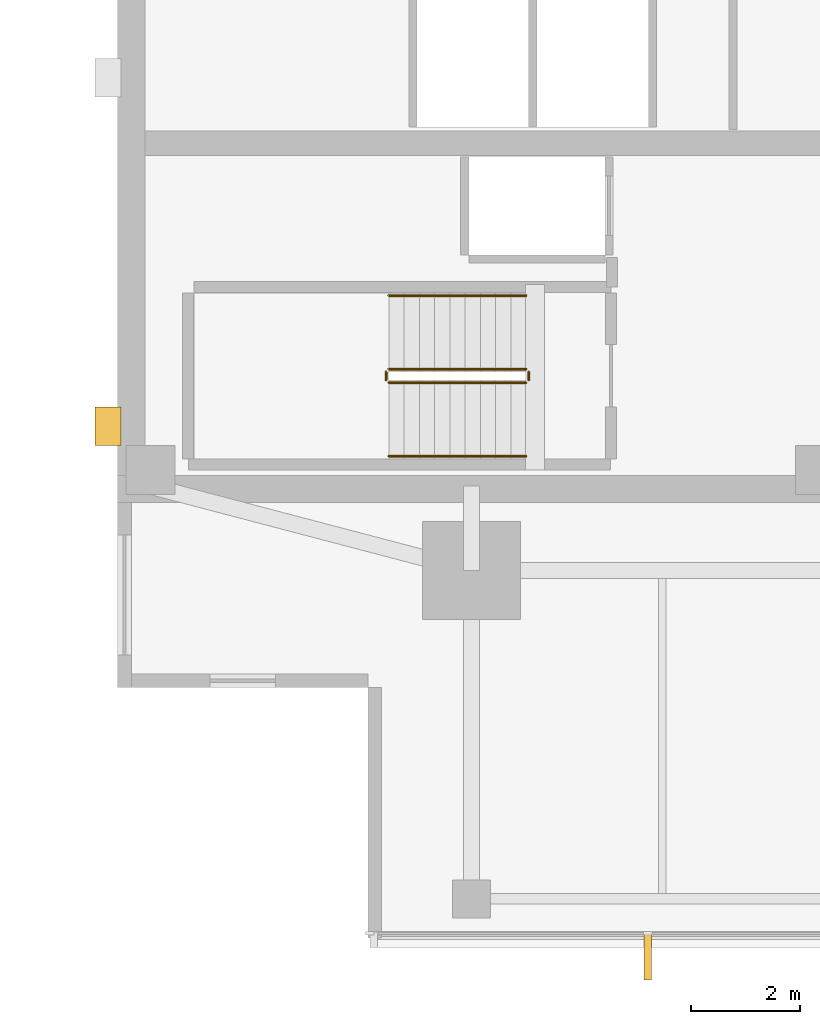
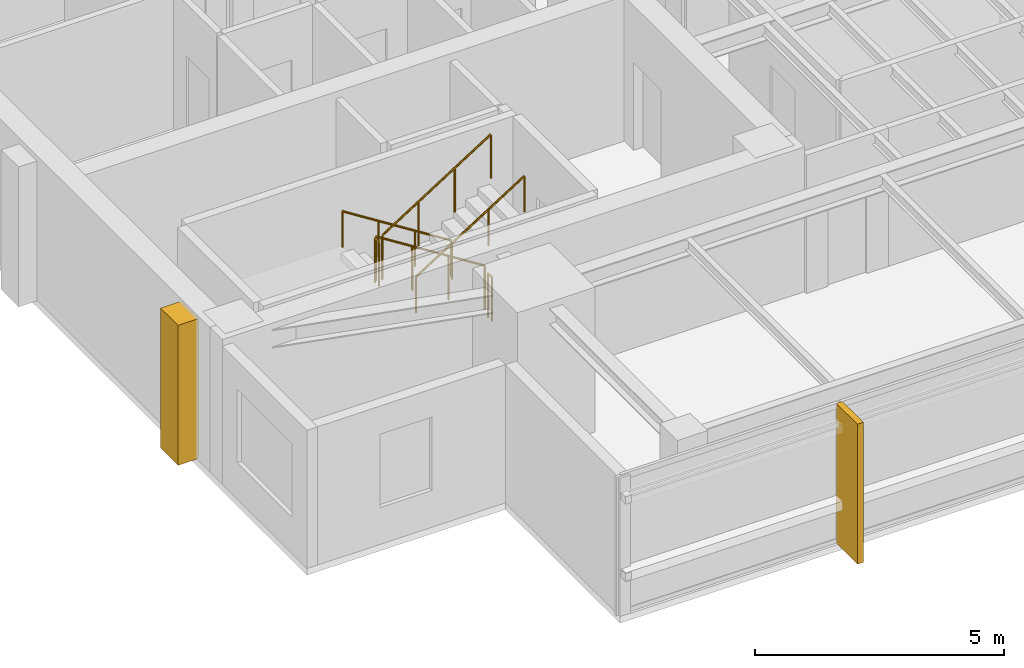
# One storey, part 11 of 14: 6 railings, 2 coverings.
"""IFC4 building model written with IfcOpenShell, lengths in metres."""

from ifc_helpers import new_model, si_unit, direction, frame, origin, origin_2d, place, context, subcontext, project, spatial, polyline, circle, outline, extrude, material, layer, layer_set, type_object, element, save


model = new_model("IFC4")

# Units and contexts
model_context = context("Model", 3, precision=1e-05, world=origin(), true_north=direction((0.0, 1.0)))
body_context = subcontext(model_context, "Body", "Model", "MODEL_VIEW")
ifc_project = project(units=[si_unit("LENGTHUNIT", "METRE"), si_unit("AREAUNIT", "SQUARE_METRE"), si_unit("VOLUMEUNIT", "CUBIC_METRE"), si_unit("PLANEANGLEUNIT", "RADIAN"), si_unit("MASSUNIT", "GRAM", prefix="KILO")], contexts=[model_context])

# Site, building, storey
site_placement = place(None, origin())
site = spatial("IfcSite", under=ifc_project, at=site_placement, CompositionType="ELEMENT")
building_placement = place(site_placement, origin())
building = spatial("IfcBuilding", under=site, at=building_placement, Name="Kinhvarn Gate Tower", CompositionType="ELEMENT")
storey_placement = place(building_placement, frame((0.0, 0.0, 270.550048828125)))
storey = spatial("IfcBuildingStorey", under=building, at=storey_placement, Name="L72", CompositionType="ELEMENT", Elevation=270.550048828125)

# Coverings
ifc_material_1 = material(Name="Fired architectural terracotta", Category="masonry")
ifc_layer_1 = layer(ifc_material_1, 0.139892578125)
ifc_layer_set_1 = layer_set([ifc_layer_1], Name="Fired architectural terracotta")
covering_type_1 = type_object("IfcCoveringType", Name="COV-FIN-850", PredefinedType="CLADDING", material=ifc_layer_set_1)
covering_1_placement = place(storey_placement, frame((0.0, 0.0, -0.02001953125)))
element("IfcCovering", 1, at=covering_1_placement, inside=storey, type_object=covering_type_1, Name="Vertical Terracotta Expressive Fin TFN-850 (L72)", PredefinedType="CLADDING", context=body_context, shape_type="SweptSolid", body=[
    extrude(outline(polyline([(14.163330078125, 6.080078125), (14.30322265625, 6.080078125), (14.30322265625, 5.22998046875), (14.163330078125, 5.22998046875), (14.163330078125, 6.080078125)])), origin(), (0.0, 0.0, 1.0), 3.429931640625),
])
ifc_material_2 = material(Name="Precast white architectural concrete C40/50", Category="concrete")
ifc_layer_2 = layer(ifc_material_2, 0.47998046875)
ifc_layer_set_2 = layer_set([ifc_layer_2], Name="Precast white architectural concrete C40/50")
covering_type_2 = type_object("IfcCoveringType", Name="COV-RIB-450", PredefinedType="CLADDING", material=ifc_layer_set_2)
covering_2_placement = place(storey_placement, frame((0.0, 0.0, -0.02001953125)))
element("IfcCovering", 2, at=covering_2_placement, inside=storey, type_object=covering_type_2, Name="West Core Sculptural Concrete Relief Rib CRB-450 (L72)", PredefinedType="CLADDING", context=body_context, shape_type="SweptSolid", body=[
    extrude(outline(polyline([(4.080078125, 15.050048828125), (4.56005859375, 15.050048828125), (4.56005859375, 15.75), (4.080078125, 15.75), (4.080078125, 15.050048828125)])), origin(), (0.0, 0.0, 1.0), 3.429931640625),
])

# Railings
ifc_material_3 = material(Name="Steel S355", Category="steel")
railing_type_1 = type_object("IfcRailingType", Name="RL-ST-GRD", PredefinedType="BALUSTRADE", material=ifc_material_3)
railing_1_placement = place(storey_placement, frame((12.0, 16.449951171875, 0.177490234375)))
element("IfcRailing", 3, at=railing_1_placement, inside=storey, type_object=railing_type_1, Name="L72 ST1 stair guard 1", PredefinedType="BALUSTRADE", context=body_context, shape_type="SweptSolid", body=[
    extrude(circle(Radius=0.02392578125, at=origin_2d()), frame((0.0, 0.0, 1.076171875), z_axis=(-0.84460694969, 0.0, 0.535386869969), x_axis=(0.0, -1.0, 0.0)), (0.0, 0.0, 1.0), 2.983642578125),
    extrude(circle(Radius=0.02099609375, at=origin_2d()), origin(), (0.0, 0.0, 1.0), 1.052001953125),
    extrude(circle(Radius=0.02099609375, at=origin_2d()), frame((-0.840087890625, 0.0, 0.532470703125)), (0.0, 0.0, 1.0), 1.052001953125),
    extrude(circle(Radius=0.02099609375, at=origin_2d()), frame((-1.679931640625, 0.0, 1.06494140625)), (0.0, 0.0, 1.0), 1.052001953125),
    extrude(circle(Radius=0.02099609375, at=origin_2d()), frame((-2.52001953125, 0.0, 1.597412109375)), (0.0, 0.0, 1.0), 1.052001953125),
])
railing_2_placement = place(storey_placement, frame((9.429931640625, 16.39990234375, 1.77490234375)))
element("IfcRailing", 4, at=railing_2_placement, inside=storey, type_object=railing_type_1, Name="L72 ST1 stair guard 2", PredefinedType="BALUSTRADE", context=body_context, shape_type="SweptSolid", body=[
    extrude(circle(Radius=0.02392578125, at=origin_2d()), frame((0.0, 0.0, 1.076171875), z_axis=(0.0, -1.0, 0.0), x_axis=(1.0, 0.0, 0.0)), (0.0, 0.0, 1.0), 0.14990234375),
    extrude(circle(Radius=0.02099609375, at=origin_2d()), origin(), (0.0, 0.0, 1.0), 1.052001953125),
    extrude(circle(Radius=0.02099609375, at=origin_2d()), frame((0.0, -0.14990234375, 0.0)), (0.0, 0.0, 1.0), 1.052001953125),
])
railing_3_placement = place(storey_placement, frame((9.47998046875, 16.199951171875, 1.952392578125)))
element("IfcRailing", 5, at=railing_3_placement, inside=storey, type_object=railing_type_1, Name="L72 ST1 stair guard 3", PredefinedType="BALUSTRADE", context=body_context, shape_type="SweptSolid", body=[
    extrude(circle(Radius=0.02392578125, at=origin_2d()), frame((0.0, 0.0, 1.076171875), z_axis=(0.84456994832, 0.0, 0.535445237532), x_axis=(0.0, 1.0, 0.0)), (0.0, 0.0, 1.0), 2.98388671875),
    extrude(circle(Radius=0.02099609375, at=origin_2d()), origin(), (0.0, 0.0, 1.0), 1.052001953125),
    extrude(circle(Radius=0.02099609375, at=origin_2d()), frame((0.840087890625, 0.0, 0.532470703125)), (0.0, 0.0, 1.0), 1.052001953125),
    extrude(circle(Radius=0.02099609375, at=origin_2d()), frame((1.679931640625, 0.0, 1.065185546875)), (0.0, 0.0, 1.0), 1.052001953125),
    extrude(circle(Radius=0.02099609375, at=origin_2d()), frame((2.52001953125, 0.0, 1.59765625)), (0.0, 0.0, 1.0), 1.052001953125),
])
railing_4_placement = place(storey_placement, frame((12.050048828125, 16.39990234375, 0.0)))
element("IfcRailing", 6, at=railing_4_placement, inside=storey, type_object=railing_type_1, Name="L72 ST1 stair guard 4", PredefinedType="BALUSTRADE", context=body_context, shape_type="SweptSolid", body=[
    extrude(circle(Radius=0.02392578125, at=origin_2d()), frame((0.0, 0.0, 1.076171875), z_axis=(0.0, -1.0, 0.0), x_axis=(1.0, 0.0, 0.0)), (0.0, 0.0, 1.0), 0.14990234375),
    extrude(circle(Radius=0.02099609375, at=origin_2d()), origin(), (0.0, 0.0, 1.0), 1.052001953125),
    extrude(circle(Radius=0.02099609375, at=origin_2d()), frame((0.0, -0.14990234375, 0.0)), (0.0, 0.0, 1.0), 1.052001953125),
])
railing_type_2 = type_object("IfcRailingType", Name="RL-ST-HND", PredefinedType="HANDRAIL", material=ifc_material_3)
railing_5_placement = place(storey_placement, frame((12.0, 17.800048828125, 0.177490234375)))
element("IfcRailing", 7, at=railing_5_placement, inside=storey, type_object=railing_type_2, Name="L72 ST1 stair handrail 1", PredefinedType="HANDRAIL", context=body_context, shape_type="SweptSolid", body=[
    extrude(circle(Radius=0.02392578125, at=origin_2d()), frame((0.0, 0.0, 0.8759765625), z_axis=(-0.84460694969, 0.0, 0.535386869969), x_axis=(0.0, -1.0, 0.0)), (0.0, 0.0, 1.0), 2.983642578125),
    extrude(circle(Radius=0.02099609375, at=origin_2d()), origin(), (0.0, 0.0, 1.0), 0.851806640625),
    extrude(circle(Radius=0.02099609375, at=origin_2d()), frame((-0.840087890625, 0.0, 0.532470703125)), (0.0, 0.0, 1.0), 0.851806640625),
    extrude(circle(Radius=0.02099609375, at=origin_2d()), frame((-1.679931640625, 0.0, 1.06494140625)), (0.0, 0.0, 1.0), 0.851806640625),
    extrude(circle(Radius=0.02099609375, at=origin_2d()), frame((-2.52001953125, 0.0, 1.597412109375)), (0.0, 0.0, 1.0), 0.851806640625),
])
railing_6_placement = place(storey_placement, frame((9.47998046875, 14.85009765625, 1.952392578125)))
element("IfcRailing", 8, at=railing_6_placement, inside=storey, type_object=railing_type_2, Name="L72 ST1 stair handrail 2", PredefinedType="HANDRAIL", context=body_context, shape_type="SweptSolid", body=[
    extrude(circle(Radius=0.02392578125, at=origin_2d()), frame((0.0, 0.0, 0.8759765625), z_axis=(0.84456994832, 0.0, 0.535445237532), x_axis=(0.0, 1.0, 0.0)), (0.0, 0.0, 1.0), 2.98388671875),
    extrude(circle(Radius=0.02099609375, at=origin_2d()), origin(), (0.0, 0.0, 1.0), 0.851806640625),
    extrude(circle(Radius=0.02099609375, at=origin_2d()), frame((0.840087890625, 0.0, 0.532470703125)), (0.0, 0.0, 1.0), 0.851806640625),
    extrude(circle(Radius=0.02099609375, at=origin_2d()), frame((1.679931640625, 0.0, 1.065185546875)), (0.0, 0.0, 1.0), 0.851806640625),
    extrude(circle(Radius=0.02099609375, at=origin_2d()), frame((2.52001953125, 0.0, 1.59765625)), (0.0, 0.0, 1.0), 0.851806640625),
])

save(model, "model.ifc")
